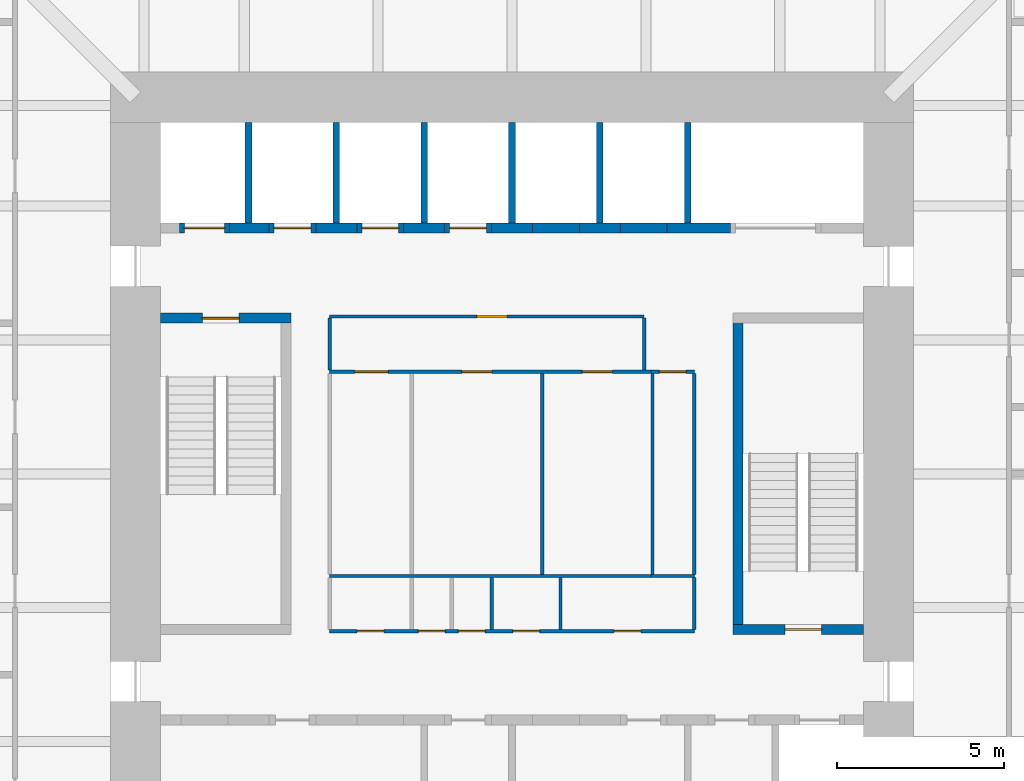
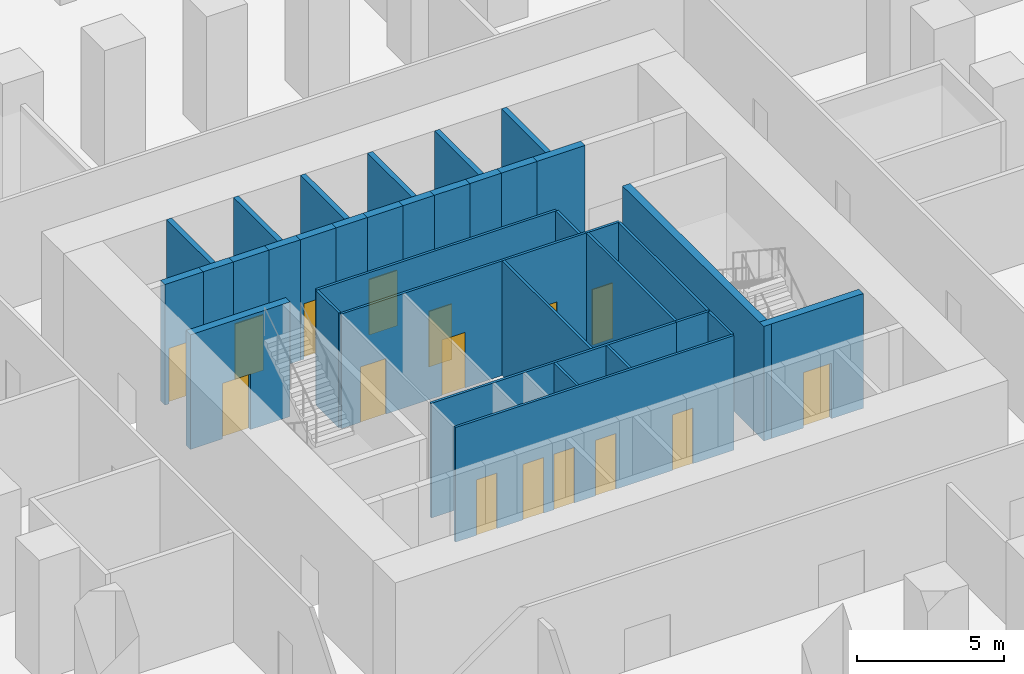
# One storey, part 13 of 22: 35 walls, 16 doors, 16 openings.
"""IFC4 building model written with IfcOpenShell, lengths in metres."""

from ifc_helpers import new_model, si_unit, direction, frame, frame_2d, origin, place, context, subcontext, project, spatial, rectangle, extrude, material, layer, layer_set, type_object, element, fill, save


model = new_model("IFC4")

# Units and contexts
model_context = context("Model", 3, precision=1e-05, world=origin(), true_north=direction((0.0, 1.0)))
body_context = subcontext(model_context, "Body", "Model", "MODEL_VIEW")
ifc_project = project(units=[si_unit("LENGTHUNIT", "METRE"), si_unit("AREAUNIT", "SQUARE_METRE"), si_unit("VOLUMEUNIT", "CUBIC_METRE"), si_unit("PLANEANGLEUNIT", "RADIAN"), si_unit("MASSUNIT", "GRAM", prefix="KILO")], contexts=[model_context])

# Site, building, storey
site_placement = place(None, origin())
site = spatial("IfcSite", under=ifc_project, at=site_placement, CompositionType="ELEMENT")
building_placement = place(site_placement, origin())
building = spatial("IfcBuilding", under=site, at=building_placement, Name="Peilmerk Tower", CompositionType="ELEMENT")
storey_placement = place(building_placement, frame((0.0, 0.0, 6.0)))
storey = spatial("IfcBuildingStorey", under=building, at=storey_placement, Name="L01", CompositionType="ELEMENT", Elevation=6.0)

# Wall, opening, door
ifc_material_1 = material(Name="Concrete C35/45", Category="concrete")
ifc_layer_1 = layer(ifc_material_1, 0.300048828125)
ifc_layer_set_1 = layer_set([ifc_layer_1], Name="Concrete C35/45")
wall_type_1 = type_object("IfcWallType", Name="IW3 300 concrete stair enclosure wall, EI 120", PredefinedType="SOLIDWALL", material=ifc_layer_set_1)
wall_1_placement = place(storey_placement, frame((-10.5, 4.64990234375, 0.0), z_axis=(0.0, 0.0, 1.0), x_axis=(1.0, 0.0, 0.0)))
wall_1 = element("IfcWall", 1, at=wall_1_placement, inside=storey, type_object=wall_type_1, Name="Stair 1 enclosure L01", PredefinedType="SOLIDWALL", context=body_context, shape_type="SweptSolid", body=[
    extrude(rectangle(XDim=3.89990234375, YDim=0.300048828125, at=frame_2d((1.949951171875, 0.0))), origin(), (0.0, 0.0, 1.0), 4.75),
])
opening_1_placement = place(wall_1_placement, frame((1.25, 0.0, 0.0)))
opening_1 = element("IfcOpeningElement", 2, at=opening_1_placement, cuts=wall_1, Name="Opening D4", PredefinedType="OPENING", context=body_context, shape_type="SweptSolid", body=[
    extrude(rectangle(XDim=1.10009765625, YDim=2.300048828125, at=frame_2d((0.550048828125, 1.14990234375))), frame((0.0, 0.159912109375, 0.0), z_axis=(0.0, -1.0, 0.0), x_axis=(1.0, 0.0, 0.0)), (0.0, 0.0, 1.0), 0.320068359375),
])
ifc_material_2 = material(Name="Steel door in steel frame", Category="steel")
door_type_1 = type_object("IfcDoorType", Name="D4 1100x2300 stair door, EI2 60", OperationType="SINGLE_SWING_RIGHT", PredefinedType="DOOR", material=ifc_material_2)
door_1_placement = place(opening_1_placement, frame((1.10009765625, 0.0, 0.0), z_axis=(0.0, 0.0, 1.0), x_axis=(-1.0, 0.0, 0.0)))
door_1 = element("IfcDoor", 3, at=door_1_placement, inside=storey, type_object=door_type_1, Name="Stair 1 door L01", OperationType="SINGLE_SWING_RIGHT", OverallHeight=2.300048828125, OverallWidth=1.10009765625, PredefinedType="DOOR", context=body_context, shape_type="SweptSolid", body=[
    extrude(rectangle(XDim=1.10009765625, YDim=2.300048828125, at=frame_2d((0.550048828125, 1.14990234375))), frame((0.0, 0.02490234375, 0.0), z_axis=(0.0, -1.0, 0.0), x_axis=(1.0, 0.0, 0.0)), (0.0, 0.0, 1.0), 0.050048828125),
])
fill(opening_1, door_1)

# Wall
wall_2_placement = place(storey_placement, frame((6.75, -4.800048828125, 0.0), z_axis=(0.0, 0.0, 1.0), x_axis=(0.0, 1.0, 0.0)))
element("IfcWall", 4, at=wall_2_placement, inside=storey, type_object=wall_type_1, Name="Stair 2 enclosure L01", PredefinedType="SOLIDWALL", context=body_context, shape_type="SweptSolid", body=[
    extrude(rectangle(XDim=9.60009765625, YDim=0.300048828125, at=frame_2d((4.800048828125, 0.0))), origin(), (0.0, 0.0, 1.0), 4.75),
])

# Wall, opening, door
wall_3_placement = place(storey_placement, frame((10.5, -4.64990234375, 0.0), z_axis=(0.0, 0.0, 1.0), x_axis=(-1.0, 0.0, 0.0)))
wall_3 = element("IfcWall", 5, at=wall_3_placement, inside=storey, type_object=wall_type_1, Name="Stair 2 enclosure L01", PredefinedType="SOLIDWALL", context=body_context, shape_type="SweptSolid", body=[
    extrude(rectangle(XDim=3.89990234375, YDim=0.300048828125, at=frame_2d((1.949951171875, 0.0))), origin(), (0.0, 0.0, 1.0), 4.75),
])
opening_2_placement = place(wall_3_placement, frame((1.25, 0.0, 0.0)))
opening_2 = element("IfcOpeningElement", 6, at=opening_2_placement, cuts=wall_3, Name="Opening D4", PredefinedType="OPENING", context=body_context, shape_type="SweptSolid", body=[
    extrude(rectangle(XDim=1.10009765625, YDim=2.300048828125, at=frame_2d((0.550048828125, 1.14990234375))), frame((0.0, 0.159912109375, 0.0), z_axis=(0.0, -1.0, 0.0), x_axis=(1.0, 0.0, 0.0)), (0.0, 0.0, 1.0), 0.320068359375),
])
door_2_placement = place(opening_2_placement, frame((1.10009765625, 0.0, 0.0), z_axis=(0.0, 0.0, 1.0), x_axis=(-1.0, 0.0, 0.0)))
door_2 = element("IfcDoor", 7, at=door_2_placement, inside=storey, type_object=door_type_1, Name="Stair 2 door L01", OperationType="SINGLE_SWING_RIGHT", OverallHeight=2.300048828125, OverallWidth=1.10009765625, PredefinedType="DOOR", context=body_context, shape_type="SweptSolid", body=[
    extrude(rectangle(XDim=1.10009765625, YDim=2.300048828125, at=frame_2d((0.550048828125, 1.14990234375))), frame((0.0, 0.02490234375, 0.0), z_axis=(0.0, -1.0, 0.0), x_axis=(1.0, 0.0, 0.0)), (0.0, 0.0, 1.0), 0.050048828125),
])
fill(opening_2, door_2)

# Wall, openings, doors
ifc_material_3 = material(Name="Plasterboard on steel studs", Category="steel")
ifc_layer_2 = layer(ifc_material_3, 0.10009765625)
ifc_layer_set_2 = layer_set([ifc_layer_2], Name="Plasterboard on steel studs")
wall_type_2 = type_object("IfcWallType", Name="IW4 100 WC partition", PredefinedType="PARTITIONING", material=ifc_layer_set_2)
wall_4_placement = place(storey_placement, frame((-5.449951171875, 3.050048828125, 0.0), z_axis=(0.0, 0.0, 1.0), x_axis=(1.0, 0.0, 0.0)))
wall_4 = element("IfcWall", 8, at=wall_4_placement, inside=storey, type_object=wall_type_2, Name="WC wall L01", PredefinedType="PARTITIONING", context=body_context, shape_type="SweptSolid", body=[
    extrude(rectangle(XDim=9.599853515625, YDim=0.10009765625, at=frame_2d((4.7998046875, 0.0))), origin(), (0.0, 0.0, 1.0), 4.75),
])
opening_3_placement = place(wall_4_placement, frame((0.75, 0.0, 0.0)))
opening_3 = element("IfcOpeningElement", 9, at=opening_3_placement, cuts=wall_4, Name="Opening D6", PredefinedType="OPENING", context=body_context, shape_type="SweptSolid", body=[
    extrude(rectangle(XDim=1.0, YDim=2.300048828125, at=frame_2d((0.5, 1.14990234375))), frame((0.0, 0.06005859375, 0.0), z_axis=(0.0, -1.0, 0.0), x_axis=(1.0, 0.0, 0.0)), (0.0, 0.0, 1.0), 0.1201171875),
])
opening_4_placement = place(wall_4_placement, frame((3.949951171875, 0.0, 0.0)))
opening_4 = element("IfcOpeningElement", 10, at=opening_4_placement, cuts=wall_4, Name="Opening D5", PredefinedType="OPENING", context=body_context, shape_type="SweptSolid", body=[
    extrude(rectangle(XDim=0.89990234375, YDim=2.300048828125, at=frame_2d((0.449951171875, 1.14990234375))), frame((0.0, 0.06005859375, 0.0), z_axis=(0.0, -1.0, 0.0), x_axis=(1.0, 0.0, 0.0)), (0.0, 0.0, 1.0), 0.1201171875),
])
opening_5_placement = place(wall_4_placement, frame((7.550048828125, 0.0, 0.0)))
opening_5 = element("IfcOpeningElement", 11, at=opening_5_placement, cuts=wall_4, Name="Opening D5", PredefinedType="OPENING", context=body_context, shape_type="SweptSolid", body=[
    extrude(rectangle(XDim=0.89990234375, YDim=2.300048828125, at=frame_2d((0.449951171875, 1.14990234375))), frame((0.0, 0.06005859375, 0.0), z_axis=(0.0, -1.0, 0.0), x_axis=(1.0, 0.0, 0.0)), (0.0, 0.0, 1.0), 0.1201171875),
])
ifc_material_4 = material(Name="Timber door in steel frame", Category="steel")
door_type_2 = type_object("IfcDoorType", Name="D5 900x2300 WC door", OperationType="SINGLE_SWING_LEFT", PredefinedType="DOOR", material=ifc_material_4)
door_3_placement = place(opening_4_placement, frame((0.89990234375, 0.0, 0.0), z_axis=(0.0, 0.0, 1.0), x_axis=(-1.0, 0.0, 0.0)))
door_3 = element("IfcDoor", 12, at=door_3_placement, inside=storey, type_object=door_type_2, Name="Female toilets door L01", OperationType="SINGLE_SWING_LEFT", OverallHeight=2.300048828125, OverallWidth=0.89990234375, PredefinedType="DOOR", context=body_context, shape_type="SweptSolid", body=[
    extrude(rectangle(XDim=0.89990234375, YDim=2.300048828125, at=frame_2d((0.449951171875, 1.14990234375))), frame((0.0, 0.02490234375, 0.0), z_axis=(0.0, -1.0, 0.0), x_axis=(1.0, 0.0, 0.0)), (0.0, 0.0, 1.0), 0.050048828125),
])
fill(opening_4, door_3)
door_4_placement = place(opening_5_placement, frame((0.89990234375, 0.0, 0.0), z_axis=(0.0, 0.0, 1.0), x_axis=(-1.0, 0.0, 0.0)))
door_4 = element("IfcDoor", 13, at=door_4_placement, inside=storey, type_object=door_type_2, Name="Male toilets door L01", OperationType="SINGLE_SWING_LEFT", OverallHeight=2.300048828125, OverallWidth=0.89990234375, PredefinedType="DOOR", context=body_context, shape_type="SweptSolid", body=[
    extrude(rectangle(XDim=0.89990234375, YDim=2.300048828125, at=frame_2d((0.449951171875, 1.14990234375))), frame((0.0, 0.02490234375, 0.0), z_axis=(0.0, -1.0, 0.0), x_axis=(1.0, 0.0, 0.0)), (0.0, 0.0, 1.0), 0.050048828125),
])
fill(opening_5, door_4)
door_type_3 = type_object("IfcDoorType", Name="D6 1000x2300 accessible WC door", OperationType="SLIDING_TO_LEFT", PredefinedType="DOOR", material=ifc_material_4)
door_5_placement = place(opening_3_placement, frame((1.0, 0.0, 0.0), z_axis=(0.0, 0.0, 1.0), x_axis=(-1.0, 0.0, 0.0)))
door_5 = element("IfcDoor", 14, at=door_5_placement, inside=storey, type_object=door_type_3, Name="Accessible WC door L01", OperationType="SLIDING_TO_LEFT", OverallHeight=2.300048828125, OverallWidth=1.0, PredefinedType="DOOR", context=body_context, shape_type="SweptSolid", body=[
    extrude(rectangle(XDim=1.0, YDim=2.300048828125, at=frame_2d((0.5, 1.14990234375))), frame((0.0, 0.02490234375, 0.0), z_axis=(0.0, -1.0, 0.0), x_axis=(1.0, 0.0, 0.0)), (0.0, 0.0, 1.0), 0.050048828125),
])
fill(opening_3, door_5)

# Walls
wall_5_placement = place(storey_placement, frame((4.14990234375, -3.050048828125, 0.0), z_axis=(0.0, 0.0, 1.0), x_axis=(-1.0, 0.0, 0.0)))
element("IfcWall", 15, at=wall_5_placement, inside=storey, type_object=wall_type_2, Name="WC wall L01", PredefinedType="PARTITIONING", context=body_context, shape_type="SweptSolid", body=[
    extrude(rectangle(XDim=9.599853515625, YDim=0.10009765625, at=frame_2d((4.7998046875, 0.0))), origin(), (0.0, 0.0, 1.0), 4.75),
])
wall_6_placement = place(storey_placement, frame((0.89990234375, -3.0, 0.0), z_axis=(0.0, 0.0, 1.0), x_axis=(0.0, 1.0, 0.0)))
element("IfcWall", 16, at=wall_6_placement, inside=storey, type_object=wall_type_2, Name="WC wall L01", PredefinedType="PARTITIONING", context=body_context, shape_type="SweptSolid", body=[
    extrude(rectangle(XDim=6.0, YDim=0.10009765625, at=frame_2d((3.0, 0.0))), origin(), (0.0, 0.0, 1.0), 4.75),
])

# Wall, opening, door
ifc_material_5 = material(Name="Calcium silicate board on steel studs", Category="steel")
ifc_layer_3 = layer(ifc_material_5, 0.10009765625)
ifc_layer_set_3 = layer_set([ifc_layer_3], Name="Calcium silicate board on steel studs")
wall_type_3 = type_object("IfcWallType", Name="IW5 100 riser enclosure wall, EI 60", PredefinedType="PARTITIONING", material=ifc_layer_set_3)
wall_7_placement = place(storey_placement, frame((4.14990234375, 3.050048828125, 0.0), z_axis=(0.0, 0.0, 1.0), x_axis=(1.0, 0.0, 0.0)))
wall_7 = element("IfcWall", 17, at=wall_7_placement, inside=storey, type_object=wall_type_3, Name="Riser wall L01", PredefinedType="PARTITIONING", context=body_context, shape_type="SweptSolid", body=[
    extrude(rectangle(XDim=1.300048828125, YDim=0.10009765625, at=frame_2d((0.64990234375, 0.0))), origin(), (0.0, 0.0, 1.0), 4.75),
])
opening_6_placement = place(wall_7_placement, frame((0.25, 0.0, 0.0)))
opening_6 = element("IfcOpeningElement", 18, at=opening_6_placement, cuts=wall_7, Name="Opening D7", PredefinedType="OPENING", context=body_context, shape_type="SweptSolid", body=[
    extrude(rectangle(XDim=0.800048828125, YDim=2.300048828125, at=frame_2d((0.39990234375, 1.14990234375))), frame((0.0, 0.06005859375, 0.0), z_axis=(0.0, -1.0, 0.0), x_axis=(1.0, 0.0, 0.0)), (0.0, 0.0, 1.0), 0.1201171875),
])
door_type_4 = type_object("IfcDoorType", Name="D7 800x2300 riser access door, EI2 60", OperationType="SINGLE_SWING_RIGHT", PredefinedType="DOOR", material=ifc_material_2)
door_6_placement = place(opening_6_placement, frame((0.800048828125, 0.0, 0.0), z_axis=(0.0, 0.0, 1.0), x_axis=(-1.0, 0.0, 0.0)))
door_6 = element("IfcDoor", 19, at=door_6_placement, inside=storey, type_object=door_type_4, Name="Plumbing riser door L01", OperationType="SINGLE_SWING_RIGHT", OverallHeight=2.300048828125, OverallWidth=0.800048828125, PredefinedType="DOOR", context=body_context, shape_type="SweptSolid", body=[
    extrude(rectangle(XDim=0.800048828125, YDim=2.300048828125, at=frame_2d((0.39990234375, 1.14990234375))), frame((0.0, 0.02490234375, 0.0), z_axis=(0.0, -1.0, 0.0), x_axis=(1.0, 0.0, 0.0)), (0.0, 0.0, 1.0), 0.050048828125),
])
fill(opening_6, door_6)

# Walls
wall_8_placement = place(storey_placement, frame((5.449951171875, -3.050048828125, 0.0), z_axis=(0.0, 0.0, 1.0), x_axis=(-1.0, 0.0, 0.0)))
element("IfcWall", 20, at=wall_8_placement, inside=storey, type_object=wall_type_3, Name="Riser wall L01", PredefinedType="PARTITIONING", context=body_context, shape_type="SweptSolid", body=[
    extrude(rectangle(XDim=1.300048828125, YDim=0.10009765625, at=frame_2d((0.64990234375, 0.0))), origin(), (0.0, 0.0, 1.0), 4.75),
])
for number, where, z_axis, x_axis, name in (
    (21, (5.449951171875, 3.0, 0.0), (0.0, 0.0, 1.0), (0.0, -1.0, 0.0), "Riser wall L01"),
    (22, (4.199951171875, -3.0, 0.0), (0.0, 0.0, 1.0), (0.0, 1.0, 0.0), "Riser wall L01"),
):
    element("IfcWall", number, at=place(storey_placement, frame(where, z_axis=z_axis, x_axis=x_axis)), inside=storey, type_object=wall_type_3, Name=name, PredefinedType="PARTITIONING", context=body_context, shape_type="SweptSolid", body=[
        extrude(rectangle(XDim=6.0, YDim=0.10009765625, at=frame_2d((3.0, 0.0))), origin(), (0.0, 0.0, 1.0), 4.75),
    ])

# Wall, openings, doors
wall_9_placement = place(storey_placement, frame((5.449951171875, -4.699951171875, 0.0), z_axis=(0.0, 0.0, 1.0), x_axis=(-1.0, 0.0, 0.0)))
wall_9 = element("IfcWall", 23, at=wall_9_placement, inside=storey, type_object=wall_type_3, Name="Riser wall L01", PredefinedType="PARTITIONING", context=body_context, shape_type="SweptSolid", body=[
    extrude(rectangle(XDim=10.89990234375, YDim=0.10009765625, at=frame_2d((5.449951171875, 0.0))), origin(), (0.0, 0.0, 1.0), 4.75),
])
opening_7_placement = place(wall_9_placement, frame((9.27490234375, 0.0, 0.0)))
opening_7 = element("IfcOpeningElement", 24, at=opening_7_placement, cuts=wall_9, Name="Opening D7", PredefinedType="OPENING", context=body_context, shape_type="SweptSolid", body=[
    extrude(rectangle(XDim=0.800048828125, YDim=2.300048828125, at=frame_2d((0.39990234375, 1.14990234375))), frame((0.0, 0.06005859375, 0.0), z_axis=(0.0, -1.0, 0.0), x_axis=(1.0, 0.0, 0.0)), (0.0, 0.0, 1.0), 0.1201171875),
])
opening_8_placement = place(wall_9_placement, frame((7.449951171875, 0.0, 0.0)))
opening_8 = element("IfcOpeningElement", 25, at=opening_8_placement, cuts=wall_9, Name="Opening D7", PredefinedType="OPENING", context=body_context, shape_type="SweptSolid", body=[
    extrude(rectangle(XDim=0.800048828125, YDim=2.300048828125, at=frame_2d((0.39990234375, 1.14990234375))), frame((0.0, 0.06005859375, 0.0), z_axis=(0.0, -1.0, 0.0), x_axis=(1.0, 0.0, 0.0)), (0.0, 0.0, 1.0), 0.1201171875),
])
opening_9_placement = place(wall_9_placement, frame((6.25, 0.0, 0.0)))
opening_9 = element("IfcOpeningElement", 26, at=opening_9_placement, cuts=wall_9, Name="Opening D7", PredefinedType="OPENING", context=body_context, shape_type="SweptSolid", body=[
    extrude(rectangle(XDim=0.800048828125, YDim=2.300048828125, at=frame_2d((0.39990234375, 1.14990234375))), frame((0.0, 0.06005859375, 0.0), z_axis=(0.0, -1.0, 0.0), x_axis=(1.0, 0.0, 0.0)), (0.0, 0.0, 1.0), 0.1201171875),
])
opening_10_placement = place(wall_9_placement, frame((4.625, 0.0, 0.0)))
opening_10 = element("IfcOpeningElement", 27, at=opening_10_placement, cuts=wall_9, Name="Opening D7", PredefinedType="OPENING", context=body_context, shape_type="SweptSolid", body=[
    extrude(rectangle(XDim=0.800048828125, YDim=2.300048828125, at=frame_2d((0.39990234375, 1.14990234375))), frame((0.0, 0.06005859375, 0.0), z_axis=(0.0, -1.0, 0.0), x_axis=(1.0, 0.0, 0.0)), (0.0, 0.0, 1.0), 0.1201171875),
])
opening_11_placement = place(wall_9_placement, frame((1.60009765625, 0.0, 0.0)))
opening_11 = element("IfcOpeningElement", 28, at=opening_11_placement, cuts=wall_9, Name="Opening D7", PredefinedType="OPENING", context=body_context, shape_type="SweptSolid", body=[
    extrude(rectangle(XDim=0.800048828125, YDim=2.300048828125, at=frame_2d((0.39990234375, 1.14990234375))), frame((0.0, 0.06005859375, 0.0), z_axis=(0.0, -1.0, 0.0), x_axis=(1.0, 0.0, 0.0)), (0.0, 0.0, 1.0), 0.1201171875),
])
door_7_placement = place(opening_7_placement, frame((0.800048828125, 0.0, 0.0), z_axis=(0.0, 0.0, 1.0), x_axis=(-1.0, 0.0, 0.0)))
door_7 = element("IfcDoor", 29, at=door_7_placement, inside=storey, type_object=door_type_4, Name="Cleaner's cupboard door L01", OperationType="SINGLE_SWING_RIGHT", OverallHeight=2.300048828125, OverallWidth=0.800048828125, PredefinedType="DOOR", context=body_context, shape_type="SweptSolid", body=[
    extrude(rectangle(XDim=0.800048828125, YDim=2.300048828125, at=frame_2d((0.39990234375, 1.14990234375))), frame((0.0, 0.02490234375, 0.0), z_axis=(0.0, -1.0, 0.0), x_axis=(1.0, 0.0, 0.0)), (0.0, 0.0, 1.0), 0.050048828125),
])
fill(opening_7, door_7)
door_8_placement = place(opening_8_placement, frame((0.800048828125, 0.0, 0.0), z_axis=(0.0, 0.0, 1.0), x_axis=(-1.0, 0.0, 0.0)))
door_8 = element("IfcDoor", 30, at=door_8_placement, inside=storey, type_object=door_type_4, Name="Electrical riser door L01", OperationType="SINGLE_SWING_RIGHT", OverallHeight=2.300048828125, OverallWidth=0.800048828125, PredefinedType="DOOR", context=body_context, shape_type="SweptSolid", body=[
    extrude(rectangle(XDim=0.800048828125, YDim=2.300048828125, at=frame_2d((0.39990234375, 1.14990234375))), frame((0.0, 0.02490234375, 0.0), z_axis=(0.0, -1.0, 0.0), x_axis=(1.0, 0.0, 0.0)), (0.0, 0.0, 1.0), 0.050048828125),
])
fill(opening_8, door_8)
door_9_placement = place(opening_9_placement, frame((0.800048828125, 0.0, 0.0), z_axis=(0.0, 0.0, 1.0), x_axis=(-1.0, 0.0, 0.0)))
door_9 = element("IfcDoor", 31, at=door_9_placement, inside=storey, type_object=door_type_4, Name="Data riser door L01", OperationType="SINGLE_SWING_RIGHT", OverallHeight=2.300048828125, OverallWidth=0.800048828125, PredefinedType="DOOR", context=body_context, shape_type="SweptSolid", body=[
    extrude(rectangle(XDim=0.800048828125, YDim=2.300048828125, at=frame_2d((0.39990234375, 1.14990234375))), frame((0.0, 0.02490234375, 0.0), z_axis=(0.0, -1.0, 0.0), x_axis=(1.0, 0.0, 0.0)), (0.0, 0.0, 1.0), 0.050048828125),
])
fill(opening_9, door_9)
door_10_placement = place(opening_10_placement, frame((0.800048828125, 0.0, 0.0), z_axis=(0.0, 0.0, 1.0), x_axis=(-1.0, 0.0, 0.0)))
door_10 = element("IfcDoor", 32, at=door_10_placement, inside=storey, type_object=door_type_4, Name="Electrical room door L01", OperationType="SINGLE_SWING_RIGHT", OverallHeight=2.300048828125, OverallWidth=0.800048828125, PredefinedType="DOOR", context=body_context, shape_type="SweptSolid", body=[
    extrude(rectangle(XDim=0.800048828125, YDim=2.300048828125, at=frame_2d((0.39990234375, 1.14990234375))), frame((0.0, 0.02490234375, 0.0), z_axis=(0.0, -1.0, 0.0), x_axis=(1.0, 0.0, 0.0)), (0.0, 0.0, 1.0), 0.050048828125),
])
fill(opening_10, door_10)
door_11_placement = place(opening_11_placement, frame((0.800048828125, 0.0, 0.0), z_axis=(0.0, 0.0, 1.0), x_axis=(-1.0, 0.0, 0.0)))
door_11 = element("IfcDoor", 33, at=door_11_placement, inside=storey, type_object=door_type_4, Name="Comms room door L01", OperationType="SINGLE_SWING_RIGHT", OverallHeight=2.300048828125, OverallWidth=0.800048828125, PredefinedType="DOOR", context=body_context, shape_type="SweptSolid", body=[
    extrude(rectangle(XDim=0.800048828125, YDim=2.300048828125, at=frame_2d((0.39990234375, 1.14990234375))), frame((0.0, 0.02490234375, 0.0), z_axis=(0.0, -1.0, 0.0), x_axis=(1.0, 0.0, 0.0)), (0.0, 0.0, 1.0), 0.050048828125),
])
fill(opening_11, door_11)

# Walls
for number, where, z_axis, x_axis, name in (
    (34, (5.449951171875, -3.10009765625, 0.0), (0.0, 0.0, 1.0), (0.0, -1.0, 0.0), "Riser wall L01"),
    (35, (-0.60009765625, -3.10009765625, 0.0), (0.0, 0.0, 1.0), (0.0, -1.0, 0.0), "Riser wall L01"),
    (36, (1.449951171875, -3.10009765625, 0.0), (0.0, 0.0, 1.0), (0.0, -1.0, 0.0), "Riser wall L01"),
):
    element("IfcWall", number, at=place(storey_placement, frame(where, z_axis=z_axis, x_axis=x_axis)), inside=storey, type_object=wall_type_3, Name=name, PredefinedType="PARTITIONING", context=body_context, shape_type="SweptSolid", body=[
        extrude(rectangle(XDim=1.5498046875, YDim=0.10009765625, at=frame_2d((0.77490234375, 0.0))), origin(), (0.0, 0.0, 1.0), 4.75),
    ])

# Wall, opening, door
ifc_material_6 = material(Name="Fire-resisting plasterboard on steel studs", Category="steel")
ifc_layer_4 = layer(ifc_material_6, 0.10009765625)
ifc_layer_set_4 = layer_set([ifc_layer_4], Name="Fire-resisting plasterboard on steel studs")
wall_type_4 = type_object("IfcWallType", Name="IW9 100 WC lobby wall, EI 30", PredefinedType="PARTITIONING", material=ifc_layer_set_4)
wall_10_placement = place(storey_placement, frame((-5.449951171875, 4.699951171875, 0.0), z_axis=(0.0, 0.0, 1.0), x_axis=(1.0, 0.0, 0.0)))
wall_10 = element("IfcWall", 37, at=wall_10_placement, inside=storey, type_object=wall_type_4, Name="WC lobby wall L01", PredefinedType="PARTITIONING", context=body_context, shape_type="SweptSolid", body=[
    extrude(rectangle(XDim=9.39990234375, YDim=0.10009765625, at=frame_2d((4.699951171875, 0.0))), origin(), (0.0, 0.0, 1.0), 4.75),
])
opening_12_placement = place(wall_10_placement, frame((4.39990234375, 0.0, 0.0)))
opening_12 = element("IfcOpeningElement", 38, at=opening_12_placement, cuts=wall_10, Name="Opening D11", PredefinedType="OPENING", context=body_context, shape_type="SweptSolid", body=[
    extrude(rectangle(XDim=0.89990234375, YDim=2.300048828125, at=frame_2d((0.449951171875, 1.14990234375))), frame((0.0, 0.06005859375, 0.0), z_axis=(0.0, -1.0, 0.0), x_axis=(1.0, 0.0, 0.0)), (0.0, 0.0, 1.0), 0.1201171875),
])
door_type_5 = type_object("IfcDoorType", Name="D11 900x2300 WC lobby door, EI2 30", OperationType="SINGLE_SWING_LEFT", PredefinedType="DOOR", material=ifc_material_4)
door_12_placement = place(opening_12_placement, frame((0.89990234375, 0.0, 0.0), z_axis=(0.0, 0.0, 1.0), x_axis=(-1.0, 0.0, 0.0)))
door_12 = element("IfcDoor", 39, at=door_12_placement, inside=storey, type_object=door_type_5, Name="WC lobby door L01", OperationType="SINGLE_SWING_LEFT", OverallHeight=2.300048828125, OverallWidth=0.89990234375, PredefinedType="DOOR", context=body_context, shape_type="SweptSolid", body=[
    extrude(rectangle(XDim=0.89990234375, YDim=2.300048828125, at=frame_2d((0.449951171875, 1.14990234375))), frame((0.0, 0.02490234375, 0.0), z_axis=(0.0, -1.0, 0.0), x_axis=(1.0, 0.0, 0.0)), (0.0, 0.0, 1.0), 0.050048828125),
])
fill(opening_12, door_12)

# Walls
for number, where, z_axis, x_axis, name in (
    (40, (-5.449951171875, 3.10009765625, 0.0), (0.0, 0.0, 1.0), (0.0, 1.0, 0.0), "WC lobby wall L01"),
    (41, (3.949951171875, 3.10009765625, 0.0), (0.0, 0.0, 1.0), (0.0, 1.0, 0.0), "WC lobby wall L01"),
):
    element("IfcWall", number, at=place(storey_placement, frame(where, z_axis=z_axis, x_axis=x_axis)), inside=storey, type_object=wall_type_4, Name=name, PredefinedType="PARTITIONING", context=body_context, shape_type="SweptSolid", body=[
        extrude(rectangle(XDim=1.5498046875, YDim=0.10009765625, at=frame_2d((0.77490234375, 0.0))), origin(), (0.0, 0.0, 1.0), 4.75),
    ])
ifc_material_7 = material(Name="Calcium silicate block", Category="masonry")
ifc_layer_5 = layer(ifc_material_7, 0.199951171875)
ifc_layer_set_5 = layer_set([ifc_layer_5], Name="Calcium silicate block")
wall_type_5 = type_object("IfcWallType", Name="SH1 200 shaft dividing wall, EI 120", PredefinedType="PARTITIONING", material=ifc_layer_set_5)
for number, where, z_axis, x_axis, name in (
    (42, (-7.875, 7.5, 0.0), (0.0, 0.0, 1.0), (0.0, 1.0, 0.0), "Shaft wall N FL1 L01"),
    (43, (-5.25, 7.5, 0.0), (0.0, 0.0, 1.0), (0.0, 1.0, 0.0), "Shaft wall N A1 L01"),
    (44, (-2.625, 7.5, 0.0), (0.0, 0.0, 1.0), (0.0, 1.0, 0.0), "Shaft wall N A2 L01"),
    (45, (0.0, 7.5, 0.0), (0.0, 0.0, 1.0), (0.0, 1.0, 0.0), "Shaft wall N A3 L01"),
    (46, (2.625, 7.5, 0.0), (0.0, 0.0, 1.0), (0.0, 1.0, 0.0), "Shaft wall N S1 L01"),
    (47, (5.25, 7.5, 0.0), (0.0, 0.0, 1.0), (0.0, 1.0, 0.0), "Shaft wall N S2 L01"),
):
    element("IfcWall", number, at=place(storey_placement, frame(where, z_axis=z_axis, x_axis=x_axis)), inside=storey, type_object=wall_type_5, Name=name, PredefinedType="PARTITIONING", context=body_context, shape_type="SweptSolid", body=[
        extrude(rectangle(XDim=3.0, YDim=0.199951171875, at=frame_2d((1.5, 0.0))), origin(), (0.0, 0.0, 1.0), 5.0),
    ])

# Wall, opening, door
ifc_layer_6 = layer(ifc_material_7, 0.300048828125)
ifc_layer_set_6 = layer_set([ifc_layer_6], Name="Calcium silicate block")
wall_type_6 = type_object("IfcWallType", Name="SH2 300 lift landing door panel, EI 120", PredefinedType="PARTITIONING", material=ifc_layer_set_6)
wall_11_placement = place(storey_placement, frame((-9.9375, 7.35009765625, 0.0), z_axis=(0.0, 0.0, 1.0), x_axis=(1.0, 0.0, 0.0)))
wall_11 = element("IfcWall", 48, at=wall_11_placement, inside=storey, type_object=wall_type_6, Name="Lift door panel N FL1 L01", PredefinedType="PARTITIONING", context=body_context, shape_type="SweptSolid", body=[
    extrude(rectangle(XDim=1.5, YDim=0.300048828125, at=frame_2d((0.75, 0.0))), origin(), (0.0, 0.0, 1.0), 5.0),
])
opening_13_placement = place(wall_11_placement, frame((0.14990234375, 0.0, 0.0)))
opening_13 = element("IfcOpeningElement", 49, at=opening_13_placement, cuts=wall_11, Name="Opening LD2", PredefinedType="OPENING", context=body_context, shape_type="SweptSolid", body=[
    extrude(rectangle(XDim=1.199951171875, YDim=2.300048828125, at=frame_2d((0.60009765625, 1.14990234375))), frame((0.0, 0.159912109375, 0.0), z_axis=(0.0, -1.0, 0.0), x_axis=(1.0, 0.0, 0.0)), (0.0, 0.0, 1.0), 0.320068359375),
])
ifc_material_8 = material(Name="Stainless steel landing door", Category="steel")
door_type_6 = type_object("IfcDoorType", Name="LD2 1200x2300 lift landing door, sliding, EI2 60", OperationType="SLIDING_TO_LEFT", PredefinedType="DOOR", material=ifc_material_8)
door_13_placement = place(opening_13_placement, frame((1.199951171875, 0.0, 0.0), z_axis=(0.0, 0.0, 1.0), x_axis=(-1.0, 0.0, 0.0)))
door_13 = element("IfcDoor", 50, at=door_13_placement, inside=storey, type_object=door_type_6, Name="Lift landing door FL1 L01", OperationType="SLIDING_TO_LEFT", OverallHeight=2.300048828125, OverallWidth=1.199951171875, PredefinedType="DOOR", context=body_context, shape_type="SweptSolid", body=[
    extrude(rectangle(XDim=1.199951171875, YDim=2.300048828125, at=frame_2d((0.60009765625, 1.14990234375))), frame((0.0, 0.02490234375, 0.0), z_axis=(0.0, -1.0, 0.0), x_axis=(1.0, 0.0, 0.0)), (0.0, 0.0, 1.0), 0.050048828125),
])
fill(opening_13, door_13)

wall_12_placement = place(storey_placement, frame((-7.262451171875, 7.35009765625, 0.0), z_axis=(0.0, 0.0, 1.0), x_axis=(1.0, 0.0, 0.0)))
wall_12 = element("IfcWall", 51, at=wall_12_placement, inside=storey, type_object=wall_type_6, Name="Lift door panel N A1 L01", PredefinedType="PARTITIONING", context=body_context, shape_type="SweptSolid", body=[
    extrude(rectangle(XDim=1.39990234375, YDim=0.300048828125, at=frame_2d((0.699951171875, 0.0))), origin(), (0.0, 0.0, 1.0), 5.0),
])
opening_14_placement = place(wall_12_placement, frame((0.14990234375, 0.0, 0.0)))
opening_14 = element("IfcOpeningElement", 52, at=opening_14_placement, cuts=wall_12, Name="Opening LD1", PredefinedType="OPENING", context=body_context, shape_type="SweptSolid", body=[
    extrude(rectangle(XDim=1.10009765625, YDim=2.300048828125, at=frame_2d((0.550048828125, 1.14990234375))), frame((0.0, 0.159912109375, 0.0), z_axis=(0.0, -1.0, 0.0), x_axis=(1.0, 0.0, 0.0)), (0.0, 0.0, 1.0), 0.320068359375),
])
door_type_7 = type_object("IfcDoorType", Name="LD1 1100x2300 lift landing door, sliding, EI2 60", OperationType="SLIDING_TO_LEFT", PredefinedType="DOOR", material=ifc_material_8)
door_14_placement = place(opening_14_placement, frame((1.10009765625, 0.0, 0.0), z_axis=(0.0, 0.0, 1.0), x_axis=(-1.0, 0.0, 0.0)))
door_14 = element("IfcDoor", 53, at=door_14_placement, inside=storey, type_object=door_type_7, Name="Lift landing door A1 L01", OperationType="SLIDING_TO_LEFT", OverallHeight=2.300048828125, OverallWidth=1.10009765625, PredefinedType="DOOR", context=body_context, shape_type="SweptSolid", body=[
    extrude(rectangle(XDim=1.10009765625, YDim=2.300048828125, at=frame_2d((0.550048828125, 1.14990234375))), frame((0.0, 0.02490234375, 0.0), z_axis=(0.0, -1.0, 0.0), x_axis=(1.0, 0.0, 0.0)), (0.0, 0.0, 1.0), 0.050048828125),
])
fill(opening_14, door_14)

wall_13_placement = place(storey_placement, frame((-4.637451171875, 7.35009765625, 0.0), z_axis=(0.0, 0.0, 1.0), x_axis=(1.0, 0.0, 0.0)))
wall_13 = element("IfcWall", 54, at=wall_13_placement, inside=storey, type_object=wall_type_6, Name="Lift door panel N A2 L01", PredefinedType="PARTITIONING", context=body_context, shape_type="SweptSolid", body=[
    extrude(rectangle(XDim=1.39990234375, YDim=0.300048828125, at=frame_2d((0.699951171875, 0.0))), origin(), (0.0, 0.0, 1.0), 5.0),
])
opening_15_placement = place(wall_13_placement, frame((0.14990234375, 0.0, 0.0)))
opening_15 = element("IfcOpeningElement", 55, at=opening_15_placement, cuts=wall_13, Name="Opening LD1", PredefinedType="OPENING", context=body_context, shape_type="SweptSolid", body=[
    extrude(rectangle(XDim=1.10009765625, YDim=2.300048828125, at=frame_2d((0.550048828125, 1.14990234375))), frame((0.0, 0.159912109375, 0.0), z_axis=(0.0, -1.0, 0.0), x_axis=(1.0, 0.0, 0.0)), (0.0, 0.0, 1.0), 0.320068359375),
])
door_15_placement = place(opening_15_placement, frame((1.10009765625, 0.0, 0.0), z_axis=(0.0, 0.0, 1.0), x_axis=(-1.0, 0.0, 0.0)))
door_15 = element("IfcDoor", 56, at=door_15_placement, inside=storey, type_object=door_type_7, Name="Lift landing door A2 L01", OperationType="SLIDING_TO_LEFT", OverallHeight=2.300048828125, OverallWidth=1.10009765625, PredefinedType="DOOR", context=body_context, shape_type="SweptSolid", body=[
    extrude(rectangle(XDim=1.10009765625, YDim=2.300048828125, at=frame_2d((0.550048828125, 1.14990234375))), frame((0.0, 0.02490234375, 0.0), z_axis=(0.0, -1.0, 0.0), x_axis=(1.0, 0.0, 0.0)), (0.0, 0.0, 1.0), 0.050048828125),
])
fill(opening_15, door_15)

wall_14_placement = place(storey_placement, frame((-2.012451171875, 7.35009765625, 0.0), z_axis=(0.0, 0.0, 1.0), x_axis=(1.0, 0.0, 0.0)))
wall_14 = element("IfcWall", 57, at=wall_14_placement, inside=storey, type_object=wall_type_6, Name="Lift door panel N A3 L01", PredefinedType="PARTITIONING", context=body_context, shape_type="SweptSolid", body=[
    extrude(rectangle(XDim=1.39990234375, YDim=0.300048828125, at=frame_2d((0.699951171875, 0.0))), origin(), (0.0, 0.0, 1.0), 5.0),
])
opening_16_placement = place(wall_14_placement, frame((0.14990234375, 0.0, 0.0)))
opening_16 = element("IfcOpeningElement", 58, at=opening_16_placement, cuts=wall_14, Name="Opening LD1", PredefinedType="OPENING", context=body_context, shape_type="SweptSolid", body=[
    extrude(rectangle(XDim=1.10009765625, YDim=2.300048828125, at=frame_2d((0.550048828125, 1.14990234375))), frame((0.0, 0.159912109375, 0.0), z_axis=(0.0, -1.0, 0.0), x_axis=(1.0, 0.0, 0.0)), (0.0, 0.0, 1.0), 0.320068359375),
])
door_16_placement = place(opening_16_placement, frame((1.10009765625, 0.0, 0.0), z_axis=(0.0, 0.0, 1.0), x_axis=(-1.0, 0.0, 0.0)))
door_16 = element("IfcDoor", 59, at=door_16_placement, inside=storey, type_object=door_type_7, Name="Lift landing door A3 L01", OperationType="SLIDING_TO_LEFT", OverallHeight=2.300048828125, OverallWidth=1.10009765625, PredefinedType="DOOR", context=body_context, shape_type="SweptSolid", body=[
    extrude(rectangle(XDim=1.10009765625, YDim=2.300048828125, at=frame_2d((0.550048828125, 1.14990234375))), frame((0.0, 0.02490234375, 0.0), z_axis=(0.0, -1.0, 0.0), x_axis=(1.0, 0.0, 0.0)), (0.0, 0.0, 1.0), 0.050048828125),
])
fill(opening_16, door_16)

# Walls
for number, where, z_axis, x_axis, name in (
    (60, (0.612548828125, 7.35009765625, 0.0), (0.0, 0.0, 1.0), (1.0, 0.0, 0.0), "Lift door panel N S1 L01"),
    (61, (3.237548828125, 7.35009765625, 0.0), (0.0, 0.0, 1.0), (1.0, 0.0, 0.0), "Lift door panel N S2 L01"),
):
    element("IfcWall", number, at=place(storey_placement, frame(where, z_axis=z_axis, x_axis=x_axis)), inside=storey, type_object=wall_type_6, Name=name, PredefinedType="PARTITIONING", context=body_context, shape_type="SweptSolid", body=[
        extrude(rectangle(XDim=1.39990234375, YDim=0.300048828125, at=frame_2d((0.699951171875, 0.0))), origin(), (0.0, 0.0, 1.0), 5.0),
    ])
ifc_material_9 = material(Name="Concrete C55/67", Category="concrete")
ifc_layer_7 = layer(ifc_material_9, 0.300048828125)
ifc_layer_set_7 = layer_set([ifc_layer_7], Name="Concrete C55/67")
wall_type_7 = type_object("IfcWallType", Name="SW2 300 lift bank pier", PredefinedType="SHEAR", material=ifc_layer_set_7)
wall_15_placement = place(storey_placement, frame((-8.4375, 7.35009765625, 0.0), z_axis=(0.0, 0.0, 1.0), x_axis=(1.0, 0.0, 0.0)))
element("IfcWall", 62, at=wall_15_placement, inside=storey, type_object=wall_type_7, Name="Lift bank pier N L01", PredefinedType="SHEAR", context=body_context, shape_type="SweptSolid", body=[
    extrude(rectangle(XDim=1.175048828125, YDim=0.300048828125, at=frame_2d((0.58740234375, 0.0))), origin(), (0.0, 0.0, 1.0), 5.0),
])
for number, where, z_axis, x_axis, name in (
    (63, (-5.862548828125, 7.35009765625, 0.0), (0.0, 0.0, 1.0), (1.0, 0.0, 0.0), "Lift bank pier N L01"),
    (64, (-3.237548828125, 7.35009765625, 0.0), (0.0, 0.0, 1.0), (1.0, 0.0, 0.0), "Lift bank pier N L01"),
    (65, (-0.612548828125, 7.35009765625, 0.0), (0.0, 0.0, 1.0), (1.0, 0.0, 0.0), "Lift bank pier N L01"),
    (66, (2.012451171875, 7.35009765625, 0.0), (0.0, 0.0, 1.0), (1.0, 0.0, 0.0), "Lift bank pier N L01"),
):
    element("IfcWall", number, at=place(storey_placement, frame(where, z_axis=z_axis, x_axis=x_axis)), inside=storey, type_object=wall_type_7, Name=name, PredefinedType="SHEAR", context=body_context, shape_type="SweptSolid", body=[
        extrude(rectangle(XDim=1.22509765625, YDim=0.300048828125, at=frame_2d((0.612548828125, 0.0))), origin(), (0.0, 0.0, 1.0), 5.0),
    ])
wall_16_placement = place(storey_placement, frame((4.637451171875, 7.35009765625, 0.0), z_axis=(0.0, 0.0, 1.0), x_axis=(1.0, 0.0, 0.0)))
element("IfcWall", 67, at=wall_16_placement, inside=storey, type_object=wall_type_7, Name="Lift bank pier N L01", PredefinedType="SHEAR", context=body_context, shape_type="SweptSolid", body=[
    extrude(rectangle(XDim=1.887451171875, YDim=0.300048828125, at=frame_2d((0.94384765625, 0.0))), origin(), (0.0, 0.0, 1.0), 5.0),
])

save(model, "model.ifc")
